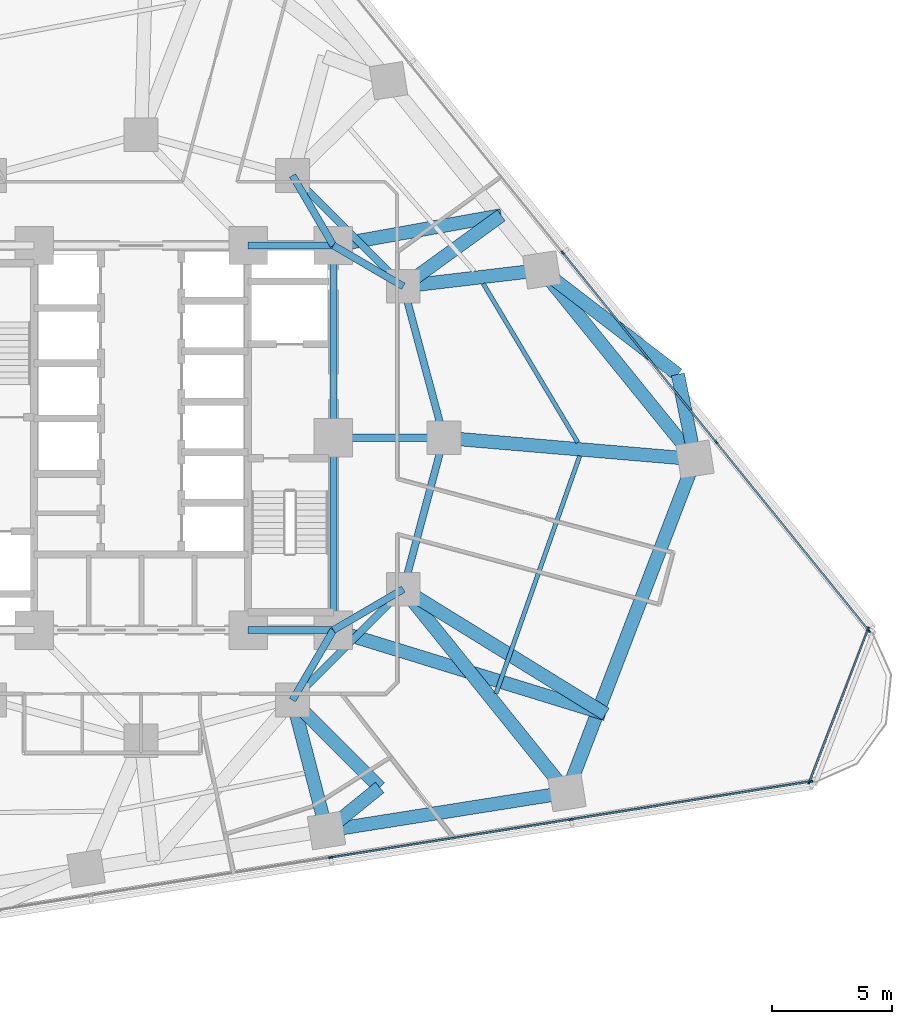
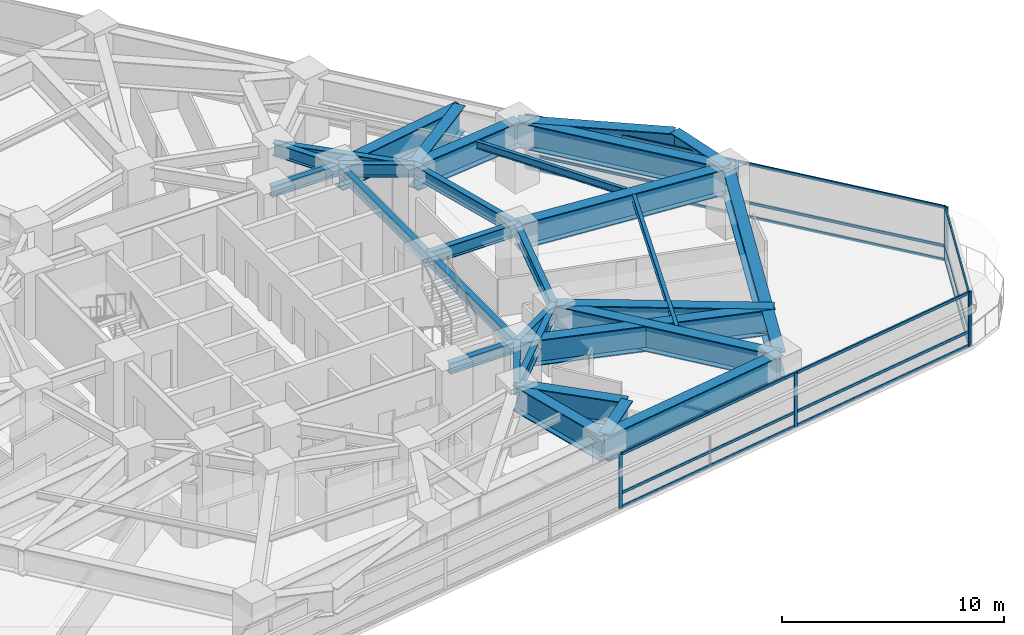
# One storey, part 4 of 13: 30 beams, 23 members, 3 elements without a shape of their own.
"""IFC4 building model written with IfcOpenShell, lengths in metres."""

from ifc_helpers import new_model, si_unit, direction, frame, origin, origin_2d, place, context, subcontext, project, spatial, rectangle, i_section, extrude, material, layer, layer_set, material_profile, profile_set, type_object, element, aggregate, save


model = new_model("IFC4")

# Units and contexts
model_context = context("Model", 3, precision=1e-05, world=origin(), true_north=direction((0.0, 1.0)))
body_context = subcontext(model_context, "Body", "Model", "MODEL_VIEW")
ifc_project = project(units=[si_unit("LENGTHUNIT", "METRE"), si_unit("AREAUNIT", "SQUARE_METRE"), si_unit("VOLUMEUNIT", "CUBIC_METRE"), si_unit("PLANEANGLEUNIT", "RADIAN"), si_unit("MASSUNIT", "GRAM", prefix="KILO")], contexts=[model_context])

# Site, building, storey
site_placement = place(None, origin())
site = spatial("IfcSite", under=ifc_project, at=site_placement, CompositionType="ELEMENT")
building_placement = place(site_placement, origin())
building = spatial("IfcBuilding", under=site, at=building_placement, Name="Terralouvre Media Tower", CompositionType="ELEMENT")
storey_placement = place(building_placement, frame((0.0, 0.0, 81.5)))
storey = spatial("IfcBuildingStorey", under=building, at=storey_placement, Name="L20", CompositionType="ELEMENT", Elevation=81.5)

# Beams
ifc_material_1 = material(Name="Structural steel S355J2", Category="steel")
ifc_material_profile_1 = material_profile(ifc_material_1, i_section(OverallWidth=0.179931640625, OverallDepth=0.39990234375, WebThickness=0.008544921875, FlangeThickness=0.013427734375, at=origin_2d()), Name="IPE 400")
ifc_profile_set_1 = profile_set([ifc_material_profile_1], Name="Structural steel S355J2")
beam_type_1 = type_object("IfcBeamType", Name="Composite Floor Joist J-IPE400 (IPE 400)", PredefinedType="JOIST", material=ifc_profile_set_1)
beam_1_placement = place(storey_placement, frame((14.7646484375, -10.643310546875, 3.260009765625), z_axis=(0.332403317662, 0.943137335921, 0.0), x_axis=(-0.943137335921, 0.332403317662, 0.0)))
element("IfcBeam", 1, at=beam_1_placement, inside=storey, type_object=beam_type_1, Name="L20 Framing Beam JT-L20-05", PredefinedType="JOIST", context=body_context, shape_type="SweptSolid", body=[
    extrude(i_section(OverallWidth=0.179931640625, OverallDepth=0.39990234375, WebThickness=0.008544921875, FlangeThickness=0.013427734375, at=origin_2d()), origin(), (0.0, 0.0, 1.0), 10.4794921875),
])
beam_2_placement = place(storey_placement, frame((18.16845703125, -0.194580078125, 3.260009765625), z_axis=(-0.511570361916, 0.859241389139, 0.0), x_axis=(-0.859241389139, -0.511570361916, 0.0)))
element("IfcBeam", 2, at=beam_2_placement, inside=storey, type_object=beam_type_1, Name="L20 Framing Beam JT-L20-06", PredefinedType="JOIST", context=body_context, shape_type="SweptSolid", body=[
    extrude(i_section(OverallWidth=0.179931640625, OverallDepth=0.39990234375, WebThickness=0.008544921875, FlangeThickness=0.013427734375, at=origin_2d()), origin(), (0.0, 0.0, 1.0), 7.690673828125),
])

# Curtain wall, members
ifc_material_2 = material(Name="Low-iron laminated double glazing with solar-control coating", Category="glass")
ifc_layer_1 = layer(ifc_material_2, 0.1650390625, Name="Lower Media Tower Unitised Curtain Wall CW-02")
ifc_layer_set_1 = layer_set([ifc_layer_1], Name="Low-iron laminated double glazing with solar-control coating")
curtain_wall_type_1 = type_object("IfcCurtainWallType", Name="Lower Media Tower Unitised Curtain Wall CW-02", PredefinedType="NOTDEFINED", material=ifc_layer_set_1)
curtain_wall_1_placement = place(storey_placement, origin())
curtain_wall_1 = element("IfcCurtainWall", 3, at=curtain_wall_1_placement, inside=storey, type_object=curtain_wall_type_1, Name="L20 Facade Curtain Wall F0", PredefinedType="NOTDEFINED")
ifc_material_3 = material(Name="Anodised extruded aluminium 6063-T6", Category="aluminium")
ifc_material_profile_2 = material_profile(ifc_material_3, rectangle(XDim=0.074951171875, YDim=0.14990234375, at=origin_2d()), Name="ALU 75x150")
ifc_profile_set_2 = profile_set([ifc_material_profile_2], Name="Anodised extruded aluminium 6063-T6")
member_type_1 = type_object("IfcMemberType", Name="Curtain-Wall Horizontal Transom TR-150", PredefinedType="USERDEFINED", material=ifc_profile_set_2)
member_1_placement = place(storey_placement, frame((7.929443359375, -17.452880859375, 0.03759765625), z_axis=(0.987690198625, 0.156422733448, 0.0), x_axis=(-0.156422733448, 0.987690198625, 0.0)))
member_1 = element("IfcMember", 4, at=member_1_placement, type_object=member_type_1, Name="CW-02 transom 4.1", ObjectType="TRANSOM", PredefinedType="USERDEFINED", context=body_context, shape_type="SweptSolid", body=[
    extrude(rectangle(XDim=0.074951171875, YDim=0.14990234375, at=origin_2d()), origin(), (0.0, 0.0, 1.0), 10.052978515625),
])
member_2_placement = place(storey_placement, frame((7.929443359375, -17.452880859375, 0.800048828125), z_axis=(0.987690198625, 0.156422733448, 0.0), x_axis=(-0.156422733448, 0.987690198625, 0.0)))
member_2 = element("IfcMember", 5, at=member_2_placement, type_object=member_type_1, Name="CW-02 transom 4.2", ObjectType="TRANSOM", PredefinedType="USERDEFINED", context=body_context, shape_type="SweptSolid", body=[
    extrude(rectangle(XDim=0.074951171875, YDim=0.14990234375, at=origin_2d()), origin(), (0.0, 0.0, 1.0), 10.052978515625),
])
member_3_placement = place(storey_placement, frame((7.929443359375, -17.452880859375, 2.922607421875), z_axis=(0.987690198625, 0.156422733448, 0.0), x_axis=(-0.156422733448, 0.987690198625, 0.0)))
member_3 = element("IfcMember", 6, at=member_3_placement, type_object=member_type_1, Name="CW-02 transom 4.3", ObjectType="TRANSOM", PredefinedType="USERDEFINED", context=body_context, shape_type="SweptSolid", body=[
    extrude(rectangle(XDim=0.074951171875, YDim=0.14990234375, at=origin_2d()), origin(), (0.0, 0.0, 1.0), 10.052978515625),
])
member_4_placement = place(storey_placement, frame((17.9326171875, -15.86865234375, 0.03759765625), z_axis=(0.987686755457, 0.156444472878, 0.0), x_axis=(-0.156444472878, 0.987686755457, 0.0)))
member_4 = element("IfcMember", 7, at=member_4_placement, type_object=member_type_1, Name="CW-02 transom 5.1", ObjectType="TRANSOM", PredefinedType="USERDEFINED", context=body_context, shape_type="SweptSolid", body=[
    extrude(rectangle(XDim=0.074951171875, YDim=0.14990234375, at=origin_2d()), origin(), (0.0, 0.0, 1.0), 10.015625),
])
member_5_placement = place(storey_placement, frame((17.9326171875, -15.86865234375, 0.800048828125), z_axis=(0.987686755457, 0.156444472878, 0.0), x_axis=(-0.156444472878, 0.987686755457, 0.0)))
member_5 = element("IfcMember", 8, at=member_5_placement, type_object=member_type_1, Name="CW-02 transom 5.2", ObjectType="TRANSOM", PredefinedType="USERDEFINED", context=body_context, shape_type="SweptSolid", body=[
    extrude(rectangle(XDim=0.074951171875, YDim=0.14990234375, at=origin_2d()), origin(), (0.0, 0.0, 1.0), 10.015625),
])
member_6_placement = place(storey_placement, frame((17.9326171875, -15.86865234375, 2.922607421875), z_axis=(0.987686755457, 0.156444472878, 0.0), x_axis=(-0.156444472878, 0.987686755457, 0.0)))
member_6 = element("IfcMember", 9, at=member_6_placement, type_object=member_type_1, Name="CW-02 transom 5.3", ObjectType="TRANSOM", PredefinedType="USERDEFINED", context=body_context, shape_type="SweptSolid", body=[
    extrude(rectangle(XDim=0.074951171875, YDim=0.14990234375, at=origin_2d()), origin(), (0.0, 0.0, 1.0), 10.015625),
])

curtain_wall_2_placement = place(storey_placement, origin())
curtain_wall_2 = element("IfcCurtainWall", 10, at=curtain_wall_2_placement, inside=storey, type_object=curtain_wall_type_1, Name="L20 Facade Curtain Wall F1", PredefinedType="NOTDEFINED")
member_7_placement = place(storey_placement, frame((30.247802734375, -7.990234375, 0.03759765625), z_axis=(-0.629312521445, 0.777152334071, 0.0), x_axis=(-0.777152334071, -0.629312521445, 0.0)))
member_7 = element("IfcMember", 11, at=member_7_placement, type_object=member_type_1, Name="CW-02 transom 1.1", ObjectType="TRANSOM", PredefinedType="USERDEFINED", context=body_context, shape_type="SweptSolid", body=[
    extrude(rectangle(XDim=0.074951171875, YDim=0.14990234375, at=origin_2d()), origin(), (0.0, 0.0, 1.0), 10.015625),
])
member_8_placement = place(storey_placement, frame((30.247802734375, -7.990234375, 0.800048828125), z_axis=(-0.629312521445, 0.777152334071, 0.0), x_axis=(-0.777152334071, -0.629312521445, 0.0)))
member_8 = element("IfcMember", 12, at=member_8_placement, type_object=member_type_1, Name="CW-02 transom 1.2", ObjectType="TRANSOM", PredefinedType="USERDEFINED", context=body_context, shape_type="SweptSolid", body=[
    extrude(rectangle(XDim=0.074951171875, YDim=0.14990234375, at=origin_2d()), origin(), (0.0, 0.0, 1.0), 10.015625),
])
member_9_placement = place(storey_placement, frame((30.247802734375, -7.990234375, 2.922607421875), z_axis=(-0.629312521445, 0.777152334071, 0.0), x_axis=(-0.777152334071, -0.629312521445, 0.0)))
member_9 = element("IfcMember", 13, at=member_9_placement, type_object=member_type_1, Name="CW-02 transom 1.3", ObjectType="TRANSOM", PredefinedType="USERDEFINED", context=body_context, shape_type="SweptSolid", body=[
    extrude(rectangle(XDim=0.074951171875, YDim=0.14990234375, at=origin_2d()), origin(), (0.0, 0.0, 1.0), 10.015625),
])
member_10_placement = place(storey_placement, frame((23.8974609375, -0.1484375, 0.03759765625), z_axis=(-0.629307207311, 0.777156637253, 0.0), x_axis=(-0.777156637253, -0.629307207311, 0.0)))
member_10 = element("IfcMember", 14, at=member_10_placement, type_object=member_type_1, Name="CW-02 transom 2.1", ObjectType="TRANSOM", PredefinedType="USERDEFINED", context=body_context, shape_type="SweptSolid", body=[
    extrude(rectangle(XDim=0.074951171875, YDim=0.14990234375, at=origin_2d()), origin(), (0.0, 0.0, 1.0), 10.052978515625),
])
member_11_placement = place(storey_placement, frame((23.8974609375, -0.1484375, 0.800048828125), z_axis=(-0.629307207311, 0.777156637253, 0.0), x_axis=(-0.777156637253, -0.629307207311, 0.0)))
member_11 = element("IfcMember", 15, at=member_11_placement, type_object=member_type_1, Name="CW-02 transom 2.2", ObjectType="TRANSOM", PredefinedType="USERDEFINED", context=body_context, shape_type="SweptSolid", body=[
    extrude(rectangle(XDim=0.074951171875, YDim=0.14990234375, at=origin_2d()), origin(), (0.0, 0.0, 1.0), 10.052978515625),
])
member_12_placement = place(storey_placement, frame((23.8974609375, -0.1484375, 2.922607421875), z_axis=(-0.629307207311, 0.777156637253, 0.0), x_axis=(-0.777156637253, -0.629307207311, 0.0)))
member_12 = element("IfcMember", 16, at=member_12_placement, type_object=member_type_1, Name="CW-02 transom 2.3", ObjectType="TRANSOM", PredefinedType="USERDEFINED", context=body_context, shape_type="SweptSolid", body=[
    extrude(rectangle(XDim=0.074951171875, YDim=0.14990234375, at=origin_2d()), origin(), (0.0, 0.0, 1.0), 10.052978515625),
])

ifc_material_4 = material(Name="Low-iron laminated double glazing with solar-control coating", Category="glass")
ifc_layer_2 = layer(ifc_material_4, 0.1650390625, Name="Rounded Wind-Corner Curved Glazing CW-04")
ifc_layer_set_2 = layer_set([ifc_layer_2], Name="Low-iron laminated double glazing with solar-control coating")
curtain_wall_type_2 = type_object("IfcCurtainWallType", Name="Rounded Wind-Corner Curved Glazing CW-04", PredefinedType="NOTDEFINED", material=ifc_layer_set_2)
curtain_wall_3_placement = place(storey_placement, origin())
curtain_wall_3 = element("IfcCurtainWall", 17, at=curtain_wall_3_placement, inside=storey, type_object=curtain_wall_type_2, Name="L20 Rounded Wind-Corner Curtain Wall C1", PredefinedType="NOTDEFINED")
member_13_placement = place(storey_placement, frame((27.81396484375, -14.288330078125, 0.03759765625), z_axis=(0.358345802392, 0.933588927691, 0.0), x_axis=(-0.933588927691, 0.358345802392, 0.0)))
member_13 = element("IfcMember", 18, at=member_13_placement, type_object=member_type_1, Name="CW-04 transom 1.1", ObjectType="TRANSOM", PredefinedType="USERDEFINED", context=body_context, shape_type="SweptSolid", body=[
    extrude(rectangle(XDim=0.074951171875, YDim=0.14990234375, at=origin_2d()), origin(), (0.0, 0.0, 1.0), 6.743408203125),
])
member_14_placement = place(storey_placement, frame((27.81396484375, -14.288330078125, 0.800048828125), z_axis=(0.358345802392, 0.933588927691, 0.0), x_axis=(-0.933588927691, 0.358345802392, 0.0)))
member_14 = element("IfcMember", 19, at=member_14_placement, type_object=member_type_1, Name="CW-04 transom 1.2", ObjectType="TRANSOM", PredefinedType="USERDEFINED", context=body_context, shape_type="SweptSolid", body=[
    extrude(rectangle(XDim=0.074951171875, YDim=0.14990234375, at=origin_2d()), origin(), (0.0, 0.0, 1.0), 6.743408203125),
])
member_15_placement = place(storey_placement, frame((27.81396484375, -14.288330078125, 2.922607421875), z_axis=(0.358345802392, 0.933588927691, 0.0), x_axis=(-0.933588927691, 0.358345802392, 0.0)))
member_15 = element("IfcMember", 20, at=member_15_placement, type_object=member_type_1, Name="CW-04 transom 1.3", ObjectType="TRANSOM", PredefinedType="USERDEFINED", context=body_context, shape_type="SweptSolid", body=[
    extrude(rectangle(XDim=0.074951171875, YDim=0.14990234375, at=origin_2d()), origin(), (0.0, 0.0, 1.0), 6.743408203125),
])

# Member
ifc_material_5 = material(Name="Anodised extruded aluminium 6063-T6", Category="aluminium")
ifc_material_profile_3 = material_profile(ifc_material_5, rectangle(XDim=0.074951171875, YDim=0.179931640625, at=origin_2d()), Name="ALU 75x180")
ifc_profile_set_3 = profile_set([ifc_material_profile_3], Name="Anodised extruded aluminium 6063-T6")
member_type_2 = type_object("IfcMemberType", Name="Curtain-Wall Vertical Mullion ML-180", PredefinedType="MULLION", material=ifc_profile_set_3)
member_16_placement = place(storey_placement, frame((7.892333984375, -17.458740234375, 0.0), z_axis=(0.0, 0.0, 1.0), x_axis=(-0.156434462903, 0.987688340934, 0.0)))
member_16 = element("IfcMember", 21, at=member_16_placement, type_object=member_type_2, Name="CW-02 mullion 4", PredefinedType="MULLION", context=body_context, shape_type="SweptSolid", body=[
    extrude(rectangle(XDim=0.074951171875, YDim=0.179931640625, at=origin_2d()), origin(), (0.0, 0.0, 1.0), 2.9599609375),
])

member_17_placement = place(storey_placement, frame((17.895751953125, -15.87451171875, 0.0), z_axis=(0.0, 0.0, 1.0), x_axis=(-0.156434462903, 0.987688340934, 0.0)))
member_17 = element("IfcMember", 22, at=member_17_placement, type_object=member_type_2, Name="CW-02 mullion 5", PredefinedType="MULLION", context=body_context, shape_type="SweptSolid", body=[
    extrude(rectangle(XDim=0.074951171875, YDim=0.179931640625, at=origin_2d()), origin(), (0.0, 0.0, 1.0), 2.9599609375),
])

member_18_placement = place(storey_placement, frame((27.86181640625, -14.2958984375, 0.0), z_axis=(0.0, 0.0, 1.0), x_axis=(-0.156434462903, 0.987688340934, 0.0)))
member_18 = element("IfcMember", 23, at=member_18_placement, type_object=member_type_2, Name="CW-02 mullion 6", PredefinedType="MULLION", context=body_context, shape_type="SweptSolid", body=[
    extrude(rectangle(XDim=0.074951171875, YDim=0.179931640625, at=origin_2d()), origin(), (0.0, 0.0, 1.0), 2.9599609375),
])

aggregate(curtain_wall_1, [member_16, member_17, member_18, member_1, member_2, member_3, member_4, member_5, member_6])

member_19_placement = place(storey_placement, frame((30.271240234375, -8.019287109375, 0.0), z_axis=(0.0, 0.0, 1.0), x_axis=(-0.777145994276, -0.629320350521, 0.0)))
member_19 = element("IfcMember", 24, at=member_19_placement, type_object=member_type_2, Name="CW-02 mullion 1", PredefinedType="MULLION", context=body_context, shape_type="SweptSolid", body=[
    extrude(rectangle(XDim=0.074951171875, YDim=0.179931640625, at=origin_2d()), origin(), (0.0, 0.0, 1.0), 2.9599609375),
])

member_20_placement = place(storey_placement, frame((23.921142578125, -0.177490234375, 0.0), z_axis=(0.0, 0.0, 1.0), x_axis=(-0.777145994276, -0.629320350521, 0.0)))
member_20 = element("IfcMember", 25, at=member_20_placement, type_object=member_type_2, Name="CW-02 mullion 2", PredefinedType="MULLION", context=body_context, shape_type="SweptSolid", body=[
    extrude(rectangle(XDim=0.074951171875, YDim=0.179931640625, at=origin_2d()), origin(), (0.0, 0.0, 1.0), 2.9599609375),
])

member_21_placement = place(storey_placement, frame((17.54736328125, 7.693359375, 0.0), z_axis=(0.0, 0.0, 1.0), x_axis=(-0.777145994276, -0.629320350521, 0.0)))
member_21 = element("IfcMember", 26, at=member_21_placement, type_object=member_type_2, Name="CW-02 mullion 3", PredefinedType="MULLION", context=body_context, shape_type="SweptSolid", body=[
    extrude(rectangle(XDim=0.074951171875, YDim=0.179931640625, at=origin_2d()), origin(), (0.0, 0.0, 1.0), 2.9599609375),
])

aggregate(curtain_wall_2, [member_19, member_20, member_21, member_7, member_8, member_9, member_10, member_11, member_12])

member_22_placement = place(storey_placement, frame((27.800537109375, -14.323486328125, 0.0), z_axis=(0.0, 0.0, 1.0), x_axis=(-0.933580609478, 0.358367472863, 0.0)))
member_22 = element("IfcMember", 27, at=member_22_placement, type_object=member_type_2, Name="CW-04 mullion 1", PredefinedType="MULLION", context=body_context, shape_type="SweptSolid", body=[
    extrude(rectangle(XDim=0.074951171875, YDim=0.179931640625, at=origin_2d()), origin(), (0.0, 0.0, 1.0), 2.9599609375),
])

member_23_placement = place(storey_placement, frame((30.243896484375, -7.957763671875, 0.0), z_axis=(0.0, 0.0, 1.0), x_axis=(-0.933580609478, 0.358367472863, 0.0)))
member_23 = element("IfcMember", 28, at=member_23_placement, type_object=member_type_2, Name="CW-04 mullion 2", PredefinedType="MULLION", context=body_context, shape_type="SweptSolid", body=[
    extrude(rectangle(XDim=0.074951171875, YDim=0.179931640625, at=origin_2d()), origin(), (0.0, 0.0, 1.0), 2.9599609375),
])

aggregate(curtain_wall_3, [member_22, member_23, member_13, member_14, member_15])

# Beams
ifc_material_6 = material(Name="Structural steel S460M", Category="steel")
ifc_material_profile_4 = material_profile(ifc_material_6, i_section(OverallWidth=0.300048828125, OverallDepth=0.60009765625, WebThickness=0.015380859375, FlangeThickness=0.030029296875, at=origin_2d()), Name="HEB 600")
ifc_profile_set_4 = profile_set([ifc_material_profile_4], Name="Structural steel S460M")
beam_type_2 = type_object("IfcBeamType", Name="Primary Floor Girder B-HEB600 (HEB 600)", PredefinedType="BEAM", material=ifc_profile_set_4)
beam_3_placement = place(storey_placement, frame((4.449951171875, -8.0, 3.159912109375), z_axis=(1.0, 0.0, 0.0), x_axis=(0.0, 1.0, 0.0)))
element("IfcBeam", 29, at=beam_3_placement, inside=storey, type_object=beam_type_2, Name="L20 Framing Beam BM-L20-CPR03", PredefinedType="BEAM", context=body_context, shape_type="SweptSolid", body=[
    extrude(i_section(OverallWidth=0.300048828125, OverallDepth=0.60009765625, WebThickness=0.015380859375, FlangeThickness=0.030029296875, at=origin_2d()), origin(), (0.0, 0.0, 1.0), 3.550048828125),
])
for number, where, z_axis, x_axis, name in (
    (30, (8.0, -8.0, 3.159912109375), (0.0, 1.0, 0.0), (-1.0, 0.0, 0.0), "L20 Framing Beam BM-L20-CPR04"),
    (31, (8.0, 0.0, 3.159912109375), (0.0, 1.0, 0.0), (-1.0, 0.0, 0.0), "L20 Framing Beam BM-L20-CPR05"),
):
    element("IfcBeam", number, at=place(storey_placement, frame(where, z_axis=z_axis, x_axis=x_axis)), inside=storey, type_object=beam_type_2, Name=name, PredefinedType="BEAM", context=body_context, shape_type="SweptSolid", body=[
        extrude(i_section(OverallWidth=0.300048828125, OverallDepth=0.60009765625, WebThickness=0.015380859375, FlangeThickness=0.030029296875, at=origin_2d()), origin(), (0.0, 0.0, 1.0), 8.0),
    ])
beam_4_placement = place(storey_placement, frame((8.0, 8.0, 3.159912109375), z_axis=(-1.0, 0.0, 0.0), x_axis=(0.0, -1.0, 0.0)))
element("IfcBeam", 32, at=beam_4_placement, inside=storey, type_object=beam_type_2, Name="L20 Framing Beam BM-L20-CPR06", PredefinedType="BEAM", context=body_context, shape_type="SweptSolid", body=[
    extrude(i_section(OverallWidth=0.300048828125, OverallDepth=0.60009765625, WebThickness=0.015380859375, FlangeThickness=0.030029296875, at=origin_2d()), origin(), (0.0, 0.0, 1.0), 3.550048828125),
])
ifc_material_7 = material(Name="Structural steel S460M", Category="steel")
ifc_material_profile_5 = material_profile(ifc_material_7, i_section(OverallWidth=0.300048828125, OverallDepth=0.699951171875, WebThickness=0.01708984375, FlangeThickness=0.031982421875, at=origin_2d()), Name="HEB 700")
ifc_profile_set_5 = profile_set([ifc_material_profile_5], Name="Structural steel S460M")
beam_type_3 = type_object("IfcBeamType", Name="Primary Floor Girder B-HEB700 (HEB 700)", PredefinedType="BEAM", material=ifc_profile_set_5)
beam_5_placement = place(storey_placement, frame((6.300048828125, -10.911865234375, 3.110107421875), z_axis=(0.707106781187, 0.707106781187, 0.0), x_axis=(-0.707106781187, 0.707106781187, 0.0)))
element("IfcBeam", 33, at=beam_5_placement, inside=storey, type_object=beam_type_3, Name="L20 Framing Beam BM-L20-MR04", PredefinedType="BEAM", context=body_context, shape_type="SweptSolid", body=[
    extrude(i_section(OverallWidth=0.300048828125, OverallDepth=0.699951171875, WebThickness=0.01708984375, FlangeThickness=0.031982421875, at=origin_2d()), origin(), (0.0, 0.0, 1.0), 6.52197265625),
])
for number, where, z_axis, x_axis, name in (
    (34, (10.911865234375, -6.300048828125, 3.110107421875), (0.258838989821, 0.965920481897, 0.0), (-0.965920481897, 0.258838989821, 0.0), "L20 Framing Beam BM-L20-MR05"),
    (35, (12.60009765625, 0.0, 3.110107421875), (-0.258838989821, 0.965920481897, 0.0), (-0.965920481897, -0.258838989821, 0.0), "L20 Framing Beam BM-L20-MR06"),
):
    element("IfcBeam", number, at=place(storey_placement, frame(where, z_axis=z_axis, x_axis=x_axis)), inside=storey, type_object=beam_type_3, Name=name, PredefinedType="BEAM", context=body_context, shape_type="SweptSolid", body=[
        extrude(i_section(OverallWidth=0.300048828125, OverallDepth=0.699951171875, WebThickness=0.01708984375, FlangeThickness=0.031982421875, at=origin_2d()), origin(), (0.0, 0.0, 1.0), 6.522216796875),
    ])
beam_6_placement = place(storey_placement, frame((10.911865234375, 6.300048828125, 3.110107421875), z_axis=(-0.707106781187, 0.707106781187, 0.0), x_axis=(-0.707106781187, -0.707106781187, 0.0)))
element("IfcBeam", 36, at=beam_6_placement, inside=storey, type_object=beam_type_3, Name="L20 Framing Beam BM-L20-MR07", PredefinedType="BEAM", context=body_context, shape_type="SweptSolid", body=[
    extrude(i_section(OverallWidth=0.300048828125, OverallDepth=0.699951171875, WebThickness=0.01708984375, FlangeThickness=0.031982421875, at=origin_2d()), origin(), (0.0, 0.0, 1.0), 6.52197265625),
])
for number, where, z_axis, x_axis, name in (
    (37, (8.0, -8.0, 3.110107421875), (-0.504172629717, -0.863602894532, 0.0), (0.863602894532, -0.504172629717, 0.0), "L20 Framing Beam BM-L20-CM04"),
    (38, (8.0, -8.0, 3.110107421875), (0.863602894532, 0.504172629717, 0.0), (-0.504172629717, 0.863602894532, 0.0), "L20 Framing Beam BM-L20-CM05"),
):
    element("IfcBeam", number, at=place(storey_placement, frame(where, z_axis=z_axis, x_axis=x_axis)), inside=storey, type_object=beam_type_3, Name=name, PredefinedType="BEAM", context=body_context, shape_type="SweptSolid", body=[
        extrude(i_section(OverallWidth=0.300048828125, OverallDepth=0.699951171875, WebThickness=0.01708984375, FlangeThickness=0.031982421875, at=origin_2d()), origin(), (0.0, 0.0, 1.0), 3.371826171875),
    ])
beam_7_placement = place(storey_placement, frame((8.0, 0.0, 3.110107421875), z_axis=(1.0, 0.0, 0.0), x_axis=(0.0, 1.0, 0.0)))
element("IfcBeam", 39, at=beam_7_placement, inside=storey, type_object=beam_type_3, Name="L20 Framing Beam BM-L20-CM06", PredefinedType="BEAM", context=body_context, shape_type="SweptSolid", body=[
    extrude(i_section(OverallWidth=0.300048828125, OverallDepth=0.699951171875, WebThickness=0.01708984375, FlangeThickness=0.031982421875, at=origin_2d()), origin(), (0.0, 0.0, 1.0), 4.60009765625),
])
for number, where, z_axis, x_axis, name in (
    (40, (8.0, 8.0, 3.110107421875), (0.863602894532, -0.504172629717, 0.0), (0.504172629717, 0.863602894532, 0.0), "L20 Framing Beam BM-L20-CM07"),
    (41, (8.0, 8.0, 3.110107421875), (-0.504172629717, 0.863602894532, 0.0), (-0.863602894532, -0.504172629717, 0.0), "L20 Framing Beam BM-L20-CM08"),
):
    element("IfcBeam", number, at=place(storey_placement, frame(where, z_axis=z_axis, x_axis=x_axis)), inside=storey, type_object=beam_type_3, Name=name, PredefinedType="BEAM", context=body_context, shape_type="SweptSolid", body=[
        extrude(i_section(OverallWidth=0.300048828125, OverallDepth=0.699951171875, WebThickness=0.01708984375, FlangeThickness=0.031982421875, at=origin_2d()), origin(), (0.0, 0.0, 1.0), 3.371826171875),
    ])
ifc_material_8 = material(Name="Structural steel S460M", Category="steel")
ifc_material_profile_6 = material_profile(ifc_material_8, i_section(OverallWidth=0.56005859375, OverallDepth=1.39990234375, WebThickness=0.031982421875, FlangeThickness=0.050048828125, at=origin_2d()), Name="TG 1400x560")
ifc_profile_set_6 = profile_set([ifc_material_profile_6], Name="Structural steel S460M")
beam_type_4 = type_object("IfcBeamType", Name="Welded Transfer Girder TG-1400 (TG 1400x560)", PredefinedType="USERDEFINED", material=ifc_profile_set_6)
beam_8_placement = place(storey_placement, frame((7.715576171875, -16.3427734375, 2.760009765625), z_axis=(0.987686424887, 0.156446559869, 0.0), x_axis=(-0.156446559869, 0.987686424887, 0.0)))
element("IfcBeam", 42, at=beam_8_placement, inside=storey, type_object=beam_type_4, Name="L20 Framing Beam BM-L20-PR04", ObjectType="TRANSFER GIRDER", PredefinedType="USERDEFINED", context=body_context, shape_type="SweptSolid", body=[
    extrude(i_section(OverallWidth=0.56005859375, OverallDepth=1.39990234375, WebThickness=0.031982421875, FlangeThickness=0.050048828125, at=origin_2d()), origin(), (0.0, 0.0, 1.0), 10.1279296875),
])
beam_9_placement = place(storey_placement, frame((17.71875, -14.75830078125, 2.760009765625), z_axis=(0.358377748767, 0.933576664869, 0.0), x_axis=(-0.933576664869, 0.358377748767, 0.0)))
element("IfcBeam", 43, at=beam_9_placement, inside=storey, type_object=beam_type_4, Name="L20 Framing Beam BM-L20-PR05", ObjectType="TRANSFER GIRDER", PredefinedType="USERDEFINED", context=body_context, shape_type="SweptSolid", body=[
    extrude(i_section(OverallWidth=0.56005859375, OverallDepth=1.39990234375, WebThickness=0.031982421875, FlangeThickness=0.050048828125, at=origin_2d()), origin(), (0.0, 0.0, 1.0), 14.8564453125),
])
beam_10_placement = place(storey_placement, frame((23.04296875, -0.888671875, 2.760009765625), z_axis=(-0.629314025627, 0.777151116031, 0.0), x_axis=(-0.777151116031, -0.629314025627, 0.0)))
element("IfcBeam", 44, at=beam_10_placement, inside=storey, type_object=beam_type_4, Name="L20 Framing Beam BM-L20-PR06", ObjectType="TRANSFER GIRDER", PredefinedType="USERDEFINED", context=body_context, shape_type="SweptSolid", body=[
    extrude(i_section(OverallWidth=0.56005859375, OverallDepth=1.39990234375, WebThickness=0.031982421875, FlangeThickness=0.050048828125, at=origin_2d()), origin(), (0.0, 0.0, 1.0), 10.128173828125),
])
beam_11_placement = place(storey_placement, frame((6.300048828125, -10.911865234375, 2.760009765625), z_axis=(0.252216476238, -0.967670837172, 0.0), x_axis=(0.967670837172, 0.252216476238, 0.0)))
element("IfcBeam", 45, at=beam_11_placement, inside=storey, type_object=beam_type_4, Name="L20 Framing Beam BM-L20-RD04", ObjectType="TRANSFER GIRDER", PredefinedType="USERDEFINED", context=body_context, shape_type="SweptSolid", body=[
    extrude(i_section(OverallWidth=0.56005859375, OverallDepth=1.39990234375, WebThickness=0.031982421875, FlangeThickness=0.050048828125, at=origin_2d()), origin(), (0.0, 0.0, 1.0), 5.6123046875),
])
beam_12_placement = place(storey_placement, frame((10.911865234375, -6.300048828125, 2.760009765625), z_axis=(0.626954818356, -0.779055617874, 0.0), x_axis=(0.779055617874, 0.626954818356, 0.0)))
element("IfcBeam", 46, at=beam_12_placement, inside=storey, type_object=beam_type_4, Name="L20 Framing Beam BM-L20-RD05", ObjectType="TRANSFER GIRDER", PredefinedType="USERDEFINED", context=body_context, shape_type="SweptSolid", body=[
    extrude(i_section(OverallWidth=0.56005859375, OverallDepth=1.39990234375, WebThickness=0.031982421875, FlangeThickness=0.050048828125, at=origin_2d()), origin(), (0.0, 0.0, 1.0), 10.857177734375),
])
beam_13_placement = place(storey_placement, frame((12.60009765625, 0.0, 2.760009765625), z_axis=(0.996398677219, -0.084791957382, 0.0), x_axis=(0.084791957382, 0.996398677219, 0.0)))
element("IfcBeam", 47, at=beam_13_placement, inside=storey, type_object=beam_type_4, Name="L20 Framing Beam BM-L20-RD06", ObjectType="TRANSFER GIRDER", PredefinedType="USERDEFINED", context=body_context, shape_type="SweptSolid", body=[
    extrude(i_section(OverallWidth=0.56005859375, OverallDepth=1.39990234375, WebThickness=0.031982421875, FlangeThickness=0.050048828125, at=origin_2d()), origin(), (0.0, 0.0, 1.0), 10.480712890625),
])
beam_14_placement = place(storey_placement, frame((10.911865234375, 6.300048828125, 2.760009765625), z_axis=(0.993049341372, 0.117698791838, 0.0), x_axis=(-0.117698791838, 0.993049341372, 0.0)))
element("IfcBeam", 48, at=beam_14_placement, inside=storey, type_object=beam_type_4, Name="L20 Framing Beam BM-L20-RD07", ObjectType="TRANSFER GIRDER", PredefinedType="USERDEFINED", context=body_context, shape_type="SweptSolid", body=[
    extrude(i_section(OverallWidth=0.56005859375, OverallDepth=1.39990234375, WebThickness=0.031982421875, FlangeThickness=0.050048828125, at=origin_2d()), origin(), (0.0, 0.0, 1.0), 5.797607421875),
])
beam_15_placement = place(storey_placement, frame((9.925048828125, -14.547119140625, 2.760009765625), z_axis=(-0.776035306061, -0.63068946697, 0.0), x_axis=(0.63068946697, -0.776035306061, 0.0)))
element("IfcBeam", 49, at=beam_15_placement, inside=storey, type_object=beam_type_4, Name="L20 Framing Beam BM-L20-TR03S1", ObjectType="TRANSFER GIRDER", PredefinedType="USERDEFINED", context=body_context, shape_type="SweptSolid", body=[
    extrude(i_section(OverallWidth=0.56005859375, OverallDepth=1.39990234375, WebThickness=0.031982421875, FlangeThickness=0.050048828125, at=origin_2d()), origin(), (0.0, 0.0, 1.0), 2.84716796875),
])
beam_16_placement = place(storey_placement, frame((9.925048828125, -14.547119140625, 2.760009765625), z_axis=(-0.706107405732, 0.708104746185, 0.0), x_axis=(-0.708104746185, -0.706107405732, 0.0)))
element("IfcBeam", 50, at=beam_16_placement, inside=storey, type_object=beam_type_4, Name="L20 Framing Beam BM-L20-TR03S2", ObjectType="TRANSFER GIRDER", PredefinedType="USERDEFINED", context=body_context, shape_type="SweptSolid", body=[
    extrude(i_section(OverallWidth=0.56005859375, OverallDepth=1.39990234375, WebThickness=0.031982421875, FlangeThickness=0.050048828125, at=origin_2d()), origin(), (0.0, 0.0, 1.0), 5.1337890625),
])
beam_17_placement = place(storey_placement, frame((19.3291015625, -11.491455078125, 2.760009765625), z_axis=(-0.851135757445, 0.524945637565, 0.0), x_axis=(-0.524945637565, -0.851135757445, 0.0)))
element("IfcBeam", 51, at=beam_17_placement, inside=storey, type_object=beam_type_4, Name="L20 Framing Beam BM-L20-TR04S1", ObjectType="TRANSFER GIRDER", PredefinedType="USERDEFINED", context=body_context, shape_type="SweptSolid", body=[
    extrude(i_section(OverallWidth=0.56005859375, OverallDepth=1.39990234375, WebThickness=0.031982421875, FlangeThickness=0.050048828125, at=origin_2d()), origin(), (0.0, 0.0, 1.0), 9.889404296875),
])
beam_18_placement = place(storey_placement, frame((19.3291015625, -11.491455078125, 2.760009765625), z_axis=(-0.955646664835, 0.294515622658, 0.0), x_axis=(-0.294515622658, -0.955646664835, 0.0)))
element("IfcBeam", 52, at=beam_18_placement, inside=storey, type_object=beam_type_4, Name="L20 Framing Beam BM-L20-TR04S2", ObjectType="TRANSFER GIRDER", PredefinedType="USERDEFINED", context=body_context, shape_type="SweptSolid", body=[
    extrude(i_section(OverallWidth=0.56005859375, OverallDepth=1.39990234375, WebThickness=0.031982421875, FlangeThickness=0.050048828125, at=origin_2d()), origin(), (0.0, 0.0, 1.0), 11.85498046875),
])
beam_19_placement = place(storey_placement, frame((22.33203125, 2.63623046875, 2.760009765625), z_axis=(0.197708785815, -0.980260799997, 0.0), x_axis=(0.980260799997, 0.197708785815, 0.0)))
element("IfcBeam", 53, at=beam_19_placement, inside=storey, type_object=beam_type_4, Name="L20 Framing Beam BM-L20-TR05S1", ObjectType="TRANSFER GIRDER", PredefinedType="USERDEFINED", context=body_context, shape_type="SweptSolid", body=[
    extrude(i_section(OverallWidth=0.56005859375, OverallDepth=1.39990234375, WebThickness=0.031982421875, FlangeThickness=0.050048828125, at=origin_2d()), origin(), (0.0, 0.0, 1.0), 3.595947265625),
])
beam_20_placement = place(storey_placement, frame((22.33203125, 2.63623046875, 2.760009765625), z_axis=(-0.793289734085, 0.608844313265, 0.0), x_axis=(-0.608844313265, -0.793289734085, 0.0)))
element("IfcBeam", 54, at=beam_20_placement, inside=storey, type_object=beam_type_4, Name="L20 Framing Beam BM-L20-TR05S2", ObjectType="TRANSFER GIRDER", PredefinedType="USERDEFINED", context=body_context, shape_type="SweptSolid", body=[
    extrude(i_section(OverallWidth=0.56005859375, OverallDepth=1.39990234375, WebThickness=0.031982421875, FlangeThickness=0.050048828125, at=origin_2d()), origin(), (0.0, 0.0, 1.0), 7.138427734375),
])
beam_21_placement = place(storey_placement, frame((14.98388671875, 9.25244140625, 2.760009765625), z_axis=(-0.809593719636, -0.586990638022, 0.0), x_axis=(0.586990638022, -0.809593719636, 0.0)))
element("IfcBeam", 55, at=beam_21_placement, inside=storey, type_object=beam_type_4, Name="L20 Framing Beam BM-L20-TR06S1", ObjectType="TRANSFER GIRDER", PredefinedType="USERDEFINED", context=body_context, shape_type="SweptSolid", body=[
    extrude(i_section(OverallWidth=0.56005859375, OverallDepth=1.39990234375, WebThickness=0.031982421875, FlangeThickness=0.050048828125, at=origin_2d()), origin(), (0.0, 0.0, 1.0), 5.02978515625),
])
beam_22_placement = place(storey_placement, frame((14.98388671875, 9.25244140625, 2.760009765625), z_axis=(-0.984297583385, -0.176517045472, 0.0), x_axis=(0.176517045472, -0.984297583385, 0.0)))
element("IfcBeam", 56, at=beam_22_placement, inside=storey, type_object=beam_type_4, Name="L20 Framing Beam BM-L20-TR06S2", ObjectType="TRANSFER GIRDER", PredefinedType="USERDEFINED", context=body_context, shape_type="SweptSolid", body=[
    extrude(i_section(OverallWidth=0.56005859375, OverallDepth=1.39990234375, WebThickness=0.031982421875, FlangeThickness=0.050048828125, at=origin_2d()), origin(), (0.0, 0.0, 1.0), 7.09521484375),
])

save(model, "model.ifc")
